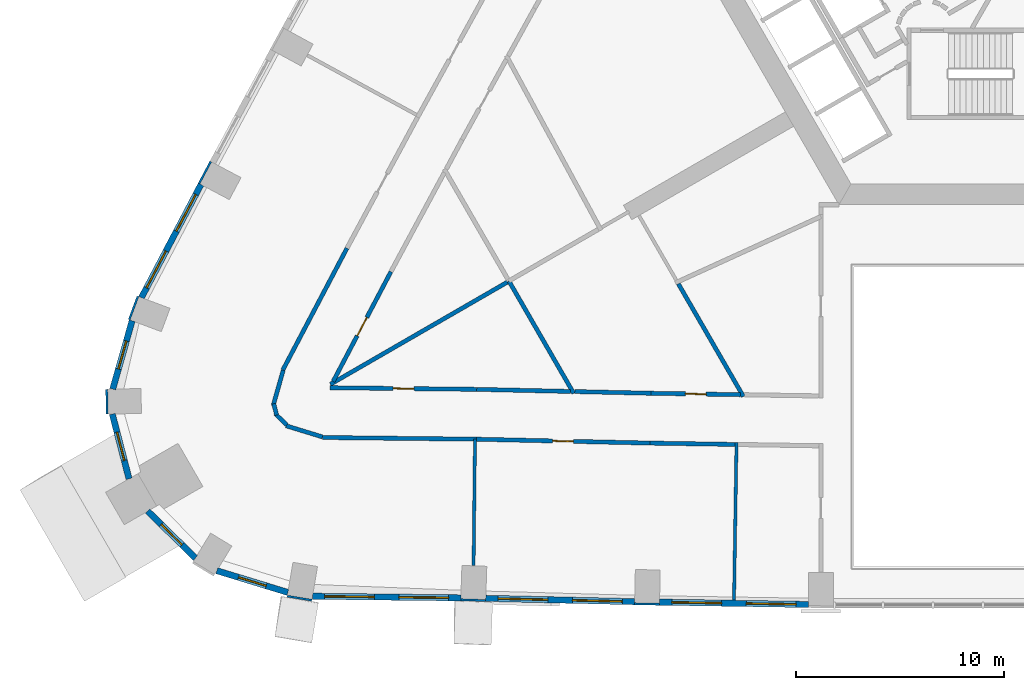
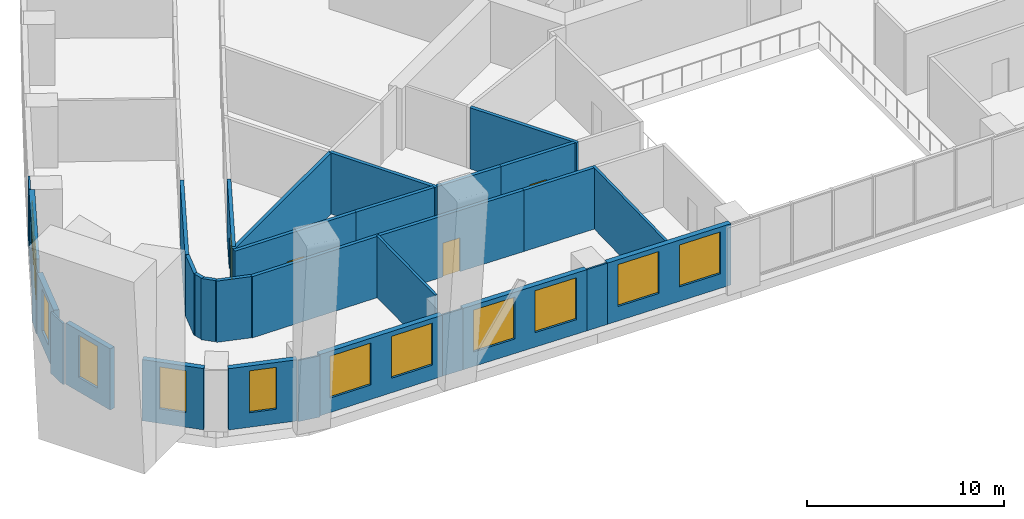
# One storey, part 4 of 16: 32 walls, 12 windows, 4 doors, 16 openings.
"""IFC4 building model written with IfcOpenShell, lengths in metres."""

from ifc_helpers import new_model, si_unit, direction, frame, frame_2d, origin, place, context, subcontext, project, spatial, rectangle, extrude, material, layer, layer_set, type_object, element, fill, save


model = new_model("IFC4")

# Units and contexts
model_context = context("Model", 3, precision=1e-05, world=origin(), true_north=direction((0.0, 1.0)))
body_context = subcontext(model_context, "Body", "Model", "MODEL_VIEW")
ifc_project = project(units=[si_unit("LENGTHUNIT", "METRE"), si_unit("AREAUNIT", "SQUARE_METRE"), si_unit("VOLUMEUNIT", "CUBIC_METRE"), si_unit("PLANEANGLEUNIT", "RADIAN"), si_unit("MASSUNIT", "GRAM", prefix="KILO")], contexts=[model_context])

# Site, building, storey
site_placement = place(None, origin())
site = spatial("IfcSite", under=ifc_project, at=site_placement, CompositionType="ELEMENT")
building_placement = place(site_placement, origin())
building = spatial("IfcBuilding", under=site, at=building_placement, Name="Entoto Arch Interchange Tower", CompositionType="ELEMENT")
storey_placement = place(building_placement, frame((0.0, 0.0, 47.60009765625)))
storey = spatial("IfcBuildingStorey", under=building, at=storey_placement, Name="L09", CompositionType="ELEMENT", Elevation=47.60009765625)

# Walls
ifc_material_1 = material(Name="Gypsum board partition on steel studs", Category="steel")
ifc_layer_1 = layer(ifc_material_1, 0.14990234375)
ifc_layer_set_1 = layer_set([ifc_layer_1], Name="Gypsum board partition on steel studs")
wall_type_1 = type_object("IfcWallType", Name="PARTITION 150", PredefinedType="PARTITIONING", material=ifc_layer_set_1)
wall_1_placement = place(storey_placement, frame((-24.452880859375, -20.7900390625, 0.0), z_axis=(0.0, 0.0, 1.0), x_axis=(-0.011204565898, -0.999937226881, 0.0)))
element("IfcWall", 1, at=wall_1_placement, inside=storey, type_object=wall_type_1, Name="wall:L09:p144", PredefinedType="PARTITIONING", context=body_context, shape_type="SweptSolid", body=[
    extrude(rectangle(XDim=6.079345703125, YDim=0.14990234375, at=frame_2d((3.03955078125, 0.0))), origin(), (0.0, 0.0, 1.0), 3.7998046875),
])
wall_2_placement = place(storey_placement, frame((-11.860107421875, -20.945068359375, 0.0), z_axis=(0.0, 0.0, 1.0), x_axis=(-0.015773137921, -0.999875596322, 0.0)))
element("IfcWall", 2, at=wall_2_placement, inside=storey, type_object=wall_type_1, Name="wall:L09:p145", PredefinedType="PARTITIONING", context=body_context, shape_type="SweptSolid", body=[
    extrude(rectangle(XDim=7.599853515625, YDim=0.14990234375, at=frame_2d((3.7998046875, 0.0))), origin(), (0.0, 0.0, 1.0), 3.7998046875),
])
ifc_layer_2 = layer(ifc_material_1, 0.199951171875)
ifc_layer_set_2 = layer_set([ifc_layer_2], Name="Gypsum board partition on steel studs")
wall_type_2 = type_object("IfcWallType", Name="PARTITION 200", PredefinedType="PARTITIONING", material=ifc_layer_set_2)
wall_3_placement = place(storey_placement, frame((-19.64892578125, -18.49609375, 0.0), z_axis=(0.0, 0.0, 1.0), x_axis=(0.999744980574, -0.02258259988, 0.0)))
element("IfcWall", 3, at=wall_3_placement, inside=storey, type_object=wall_type_2, Name="wall:L09:p031", PredefinedType="PARTITIONING", context=body_context, shape_type="SweptSolid", body=[
    extrude(rectangle(XDim=3.67578125, YDim=0.199951171875, at=frame_2d((1.837890625, 0.0))), origin(), (0.0, 0.0, 1.0), 3.7998046875),
])

# Wall, opening, door
wall_4_placement = place(storey_placement, frame((-15.97412109375, -18.5791015625, 0.0), z_axis=(0.0, 0.0, 1.0), x_axis=(0.999875289316, -0.015792587377, 0.0)))
wall_4 = element("IfcWall", 4, at=wall_4_placement, inside=storey, type_object=wall_type_2, Name="wall:L09:p032", PredefinedType="PARTITIONING", context=body_context, shape_type="SweptSolid", body=[
    extrude(rectangle(XDim=4.297607421875, YDim=0.199951171875, at=frame_2d((2.14892578125, 0.0))), origin(), (0.0, 0.0, 1.0), 3.7998046875),
])
opening_1_placement = place(wall_4_placement, frame((1.64892578125, 0.0, 0.0)))
opening_1 = element("IfcOpeningElement", 5, at=opening_1_placement, cuts=wall_4, Name="Opening L09-D24", PredefinedType="OPENING", context=body_context, shape_type="SweptSolid", body=[
    extrude(rectangle(XDim=1.0, YDim=2.10009765625, at=frame_2d((0.5, 1.050048828125))), frame((0.0, 0.10986328125, 0.0), z_axis=(0.0, -1.0, 0.0), x_axis=(1.0, 0.0, 0.0)), (0.0, 0.0, 1.0), 0.219970703125),
])
ifc_material_2 = material(Name="Timber door leaf in Steel S235 frame", Category="steel")
door_type = type_object("IfcDoorType", Name="DOOR DS-10 1000x2100", OperationType="SINGLE_SWING_LEFT", PredefinedType="DOOR", material=ifc_material_2)
door_1_placement = place(opening_1_placement, origin())
door_1 = element("IfcDoor", 6, at=door_1_placement, inside=storey, type_object=door_type, Name="door:L09:24", OperationType="SINGLE_SWING_LEFT", OverallHeight=2.10009765625, OverallWidth=1.0, PredefinedType="DOOR", context=body_context, shape_type="SweptSolid", body=[
    extrude(rectangle(XDim=1.0, YDim=2.10009765625, at=frame_2d((0.5, 1.050048828125))), frame((0.0, 0.02490234375, 0.0), z_axis=(0.0, -1.0, 0.0), x_axis=(1.0, 0.0, 0.0)), (0.0, 0.0, 1.0), 0.050048828125),
])
fill(opening_1, door_1)

wall_5_placement = place(storey_placement, frame((-28.5009765625, -12.72412109375, 0.0), z_axis=(0.0, 0.0, 1.0), x_axis=(-0.465933418625, -0.884819783576, 0.0)))
wall_5 = element("IfcWall", 7, at=wall_5_placement, inside=storey, type_object=wall_type_2, Name="wall:L09:p034", PredefinedType="PARTITIONING", context=body_context, shape_type="SweptSolid", body=[
    extrude(rectangle(XDim=5.972900390625, YDim=0.199951171875, at=frame_2d((2.986328125, 0.0))), origin(), (0.0, 0.0, 1.0), 3.7998046875),
])
opening_2_placement = place(wall_5_placement, frame((2.486083984375, 0.0, 0.0)))
opening_2 = element("IfcOpeningElement", 8, at=opening_2_placement, cuts=wall_5, Name="Opening L09-D25", PredefinedType="OPENING", context=body_context, shape_type="SweptSolid", body=[
    extrude(rectangle(XDim=1.0, YDim=2.10009765625, at=frame_2d((0.5, 1.050048828125))), frame((0.0, 0.10986328125, 0.0), z_axis=(0.0, -1.0, 0.0), x_axis=(1.0, 0.0, 0.0)), (0.0, 0.0, 1.0), 0.219970703125),
])
door_2_placement = place(opening_2_placement, origin())
door_2 = element("IfcDoor", 9, at=door_2_placement, inside=storey, type_object=door_type, Name="door:L09:25", OperationType="SINGLE_SWING_LEFT", OverallHeight=2.10009765625, OverallWidth=1.0, PredefinedType="DOOR", context=body_context, shape_type="SweptSolid", body=[
    extrude(rectangle(XDim=1.0, YDim=2.10009765625, at=frame_2d((0.5, 1.050048828125))), frame((0.0, 0.02490234375, 0.0), z_axis=(0.0, -1.0, 0.0), x_axis=(1.0, 0.0, 0.0)), (0.0, 0.0, 1.0), 0.050048828125),
])
fill(opening_2, door_2)

wall_6_placement = place(storey_placement, frame((-31.430908203125, -18.31201171875, 0.0), z_axis=(0.0, 0.0, 1.0), x_axis=(0.999939195602, -0.011027470214, 0.0)))
wall_6 = element("IfcWall", 10, at=wall_6_placement, inside=storey, type_object=wall_type_2, Name="wall:L09:p035", PredefinedType="PARTITIONING", context=body_context, shape_type="SweptSolid", body=[
    extrude(rectangle(XDim=7.0625, YDim=0.199951171875, at=frame_2d((3.53125, 0.0))), origin(), (0.0, 0.0, 1.0), 3.7998046875),
])
opening_3_placement = place(wall_6_placement, frame((3.031005859375, 0.0, 0.0)))
opening_3 = element("IfcOpeningElement", 11, at=opening_3_placement, cuts=wall_6, Name="Opening L09-D26", PredefinedType="OPENING", context=body_context, shape_type="SweptSolid", body=[
    extrude(rectangle(XDim=1.0, YDim=2.10009765625, at=frame_2d((0.5, 1.050048828125))), frame((0.0, 0.10986328125, 0.0), z_axis=(0.0, -1.0, 0.0), x_axis=(1.0, 0.0, 0.0)), (0.0, 0.0, 1.0), 0.219970703125),
])
door_3_placement = place(opening_3_placement, origin())
door_3 = element("IfcDoor", 12, at=door_3_placement, inside=storey, type_object=door_type, Name="door:L09:26", OperationType="SINGLE_SWING_LEFT", OverallHeight=2.10009765625, OverallWidth=1.0, PredefinedType="DOOR", context=body_context, shape_type="SweptSolid", body=[
    extrude(rectangle(XDim=1.0, YDim=2.10009765625, at=frame_2d((0.5, 1.050048828125))), frame((0.0, 0.02490234375, 0.0), z_axis=(0.0, -1.0, 0.0), x_axis=(1.0, 0.0, 0.0)), (0.0, 0.0, 1.0), 0.050048828125),
])
fill(opening_3, door_3)

# Walls
wall_7_placement = place(storey_placement, frame((-24.368896484375, -18.389892578125, 0.0), z_axis=(0.0, 0.0, 1.0), x_axis=(0.99974519793, -0.022572975354, 0.0)))
element("IfcWall", 13, at=wall_7_placement, inside=storey, type_object=wall_type_2, Name="wall:L09:p036", PredefinedType="PARTITIONING", context=body_context, shape_type="SweptSolid", body=[
    extrude(rectangle(XDim=4.52099609375, YDim=0.199951171875, at=frame_2d((2.260498046875, 0.0))), origin(), (0.0, 0.0, 1.0), 3.7998046875),
])
wall_8_placement = place(storey_placement, frame((-24.3779296875, -20.7900390625, 0.0), z_axis=(0.0, 0.0, 1.0), x_axis=(-0.99993897746, 0.011047232974, 0.0)))
element("IfcWall", 14, at=wall_8_placement, inside=storey, type_object=wall_type_2, Name="wall:L09:p069", PredefinedType="PARTITIONING", context=body_context, shape_type="SweptSolid", body=[
    extrude(rectangle(XDim=7.425537109375, YDim=0.199951171875, at=frame_2d((3.712890625, 0.0))), origin(), (0.0, 0.0, 1.0), 3.7998046875),
])
wall_9_placement = place(storey_placement, frame((-31.799072265625, -20.679931640625, 0.0), z_axis=(0.0, 0.0, 1.0), x_axis=(-0.956277835368, 0.292459743525, 0.0)))
element("IfcWall", 15, at=wall_9_placement, inside=storey, type_object=wall_type_2, Name="wall:L09:p070", PredefinedType="PARTITIONING", context=body_context, shape_type="SweptSolid", body=[
    extrude(rectangle(XDim=1.82568359375, YDim=0.199951171875, at=frame_2d((0.912841796875, 0.0))), origin(), (0.0, 0.0, 1.0), 3.7998046875),
])
wall_10_placement = place(storey_placement, frame((-33.52099609375, -20.10498046875, 0.0), z_axis=(0.0, 0.0, 1.0), x_axis=(-0.713535335808, 0.700619243636, 0.0)))
element("IfcWall", 16, at=wall_10_placement, inside=storey, type_object=wall_type_2, Name="wall:L09:p071", PredefinedType="PARTITIONING", context=body_context, shape_type="SweptSolid", body=[
    extrude(rectangle(XDim=0.77490234375, YDim=0.199951171875, at=frame_2d((0.387451171875, 0.0))), origin(), (0.0, 0.0, 1.0), 3.7998046875),
])
wall_11_placement = place(storey_placement, frame((-34.0029296875, -19.631103515625, 0.0), z_axis=(0.0, 0.0, 1.0), x_axis=(-0.250111961061, 0.968216921425, 0.0)))
element("IfcWall", 17, at=wall_11_placement, inside=storey, type_object=wall_type_2, Name="wall:L09:p072", PredefinedType="PARTITIONING", context=body_context, shape_type="SweptSolid", body=[
    extrude(rectangle(XDim=0.568115234375, YDim=0.199951171875, at=frame_2d((0.2841796875, 0.0))), origin(), (0.0, 0.0, 1.0), 3.7998046875),
])
wall_12_placement = place(storey_placement, frame((-34.172119140625, -19.177001953125, 0.0), z_axis=(0.0, 0.0, 1.0), x_axis=(0.272780480932, 0.962076301144, 0.0)))
element("IfcWall", 18, at=wall_12_placement, inside=storey, type_object=wall_type_2, Name="wall:L09:p073", PredefinedType="PARTITIONING", context=body_context, shape_type="SweptSolid", body=[
    extrude(rectangle(XDim=1.7783203125, YDim=0.199951171875, at=frame_2d((0.88916015625, 0.0))), origin(), (0.0, 0.0, 1.0), 3.7998046875),
])
wall_13_placement = place(storey_placement, frame((-33.7060546875, -17.4580078125, 0.0), z_axis=(0.0, 0.0, 1.0), x_axis=(0.465905874098, 0.884834287582, 0.0)))
element("IfcWall", 19, at=wall_13_placement, inside=storey, type_object=wall_type_2, Name="wall:L09:p074", PredefinedType="PARTITIONING", context=body_context, shape_type="SweptSolid", body=[
    extrude(rectangle(XDim=6.626220703125, YDim=0.199951171875, at=frame_2d((3.31298828125, 0.0))), origin(), (0.0, 0.0, 1.0), 3.7998046875),
])
wall_14_placement = place(storey_placement, frame((-11.93603515625, -21.04296875, 0.0), z_axis=(0.0, 0.0, 1.0), x_axis=(-0.999873595398, 0.015899472524, 0.0)))
element("IfcWall", 20, at=wall_14_placement, inside=storey, type_object=wall_type_2, Name="wall:L09:p076", PredefinedType="PARTITIONING", context=body_context, shape_type="SweptSolid", body=[
    extrude(rectangle(XDim=4.08447265625, YDim=0.199951171875, at=frame_2d((2.042236328125, 0.0))), origin(), (0.0, 0.0, 1.0), 3.7998046875),
])

# Wall, opening, door
wall_15_placement = place(storey_placement, frame((-16.02001953125, -20.97802734375, 0.0), z_axis=(0.0, 0.0, 1.0), x_axis=(-0.999749010047, 0.02240350216, 0.0)))
wall_15 = element("IfcWall", 21, at=wall_15_placement, inside=storey, type_object=wall_type_2, Name="wall:L09:p077", PredefinedType="PARTITIONING", context=body_context, shape_type="SweptSolid", body=[
    extrude(rectangle(XDim=8.39111328125, YDim=0.199951171875, at=frame_2d((4.195556640625, 0.0))), origin(), (0.0, 0.0, 1.0), 3.7998046875),
])
opening_4_placement = place(wall_15_placement, frame((3.695068359375, 0.0, 0.0)))
opening_4 = element("IfcOpeningElement", 22, at=opening_4_placement, cuts=wall_15, Name="Opening L09-D14", PredefinedType="OPENING", context=body_context, shape_type="SweptSolid", body=[
    extrude(rectangle(XDim=1.0, YDim=2.10009765625, at=frame_2d((0.5, 1.050048828125))), frame((0.0, 0.10986328125, 0.0), z_axis=(0.0, -1.0, 0.0), x_axis=(1.0, 0.0, 0.0)), (0.0, 0.0, 1.0), 0.219970703125),
])
door_4_placement = place(opening_4_placement, origin())
door_4 = element("IfcDoor", 23, at=door_4_placement, inside=storey, type_object=door_type, Name="door:L09:14", OperationType="SINGLE_SWING_RIGHT", OverallHeight=2.10009765625, OverallWidth=1.0, PredefinedType="DOOR", context=body_context, shape_type="SweptSolid", body=[
    extrude(rectangle(XDim=1.0, YDim=2.10009765625, at=frame_2d((0.5, 1.050048828125))), frame((0.0, 0.02490234375, 0.0), z_axis=(0.0, -1.0, 0.0), x_axis=(1.0, 0.0, 0.0)), (0.0, 0.0, 1.0), 0.050048828125),
])
fill(opening_4, door_4)

# Walls
wall_16_placement = place(storey_placement, frame((-11.527099609375, -18.735107421875, 0.0), z_axis=(0.0, 0.0, 1.0), x_axis=(-0.499976457224, 0.866038995786, 0.0)))
element("IfcWall", 24, at=wall_16_placement, inside=storey, type_object=wall_type_2, Name="wall:L09:p127", PredefinedType="PARTITIONING", context=body_context, shape_type="SweptSolid", body=[
    extrude(rectangle(XDim=6.267822265625, YDim=0.199951171875, at=frame_2d((3.1337890625, 0.0))), origin(), (0.0, 0.0, 1.0), 3.7998046875),
])
wall_17_placement = place(storey_placement, frame((-19.698974609375, -18.5810546875, 0.0), z_axis=(0.0, 0.0, 1.0), x_axis=(-0.499899838407, 0.866083224385, 0.0)))
element("IfcWall", 25, at=wall_17_placement, inside=storey, type_object=wall_type_2, Name="wall:L09:p130", PredefinedType="PARTITIONING", context=body_context, shape_type="SweptSolid", body=[
    extrude(rectangle(XDim=6.235107421875, YDim=0.199951171875, at=frame_2d((3.11767578125, 0.0))), origin(), (0.0, 0.0, 1.0), 3.7998046875),
])
wall_18_placement = place(storey_placement, frame((-22.81591796875, -13.180908203125, 0.0), z_axis=(0.0, 0.0, 1.0), x_axis=(-0.86601529143, -0.500017514703, 0.0)))
element("IfcWall", 26, at=wall_18_placement, inside=storey, type_object=wall_type_2, Name="wall:L09:p131", PredefinedType="PARTITIONING", context=body_context, shape_type="SweptSolid", body=[
    extrude(rectangle(XDim=9.931884765625, YDim=0.199951171875, at=frame_2d((4.9658203125, 0.0))), origin(), (0.0, 0.0, 1.0), 3.7998046875),
])

# Wall, openings, windows
ifc_material_3 = material(Name="Welded tuff (ignimbrite) cladding, warm buff", Category="masonry")
ifc_layer_3 = layer(ifc_material_3, 0.300048828125)
ifc_layer_set_3 = layer_set([ifc_layer_3], Name="Welded tuff (ignimbrite) cladding, warm buff")
wall_type_3 = type_object("IfcWallType", Name="STONE INFILL WALL 300", PredefinedType="STANDARD", material=ifc_layer_set_3)
wall_19_placement = place(storey_placement, frame((-32.279052734375, -28.35302734375, 0.0), z_axis=(0.0, 0.0, 1.0), x_axis=(0.999939101213, -0.011036025753, 0.0)))
wall_19 = element("IfcWall", 27, at=wall_19_placement, inside=storey, type_object=wall_type_3, Name="Facade wall S-01 L09", PredefinedType="STANDARD", context=body_context, shape_type="SweptSolid", body=[
    extrude(rectangle(XDim=7.1455078125, YDim=0.300048828125, at=frame_2d((3.57275390625, 0.0))), origin(), (0.0, 0.0, 1.0), 3.7998046875),
])
opening_5_placement = place(wall_19_placement, frame((0.5859375, 0.0, 0.89990234375)))
opening_5 = element("IfcOpeningElement", 28, at=opening_5_placement, cuts=wall_19, Name="Opening WO-A", PredefinedType="OPENING", context=body_context, shape_type="SweptSolid", body=[
    extrude(rectangle(XDim=2.39990234375, YDim=2.60009765625, at=frame_2d((1.199951171875, 1.300048828125))), frame((0.0, 0.16015625, 0.0), z_axis=(0.0, -1.0, 0.0), x_axis=(1.0, 0.0, 0.0)), (0.0, 0.0, 1.0), 0.320068359375),
])
opening_6_placement = place(wall_19_placement, frame((4.158935546875, 0.0, 0.89990234375)))
opening_6 = element("IfcOpeningElement", 29, at=opening_6_placement, cuts=wall_19, Name="Opening WO-A", PredefinedType="OPENING", context=body_context, shape_type="SweptSolid", body=[
    extrude(rectangle(XDim=2.39990234375, YDim=2.60009765625, at=frame_2d((1.199951171875, 1.300048828125))), frame((0.0, 0.16015625, 0.0), z_axis=(0.0, -1.0, 0.0), x_axis=(1.0, 0.0, 0.0)), (0.0, 0.0, 1.0), 0.320068359375),
])
ifc_material_4 = material(Name="Clear glass, low-e double glazed", Category="glass")
window_type_1 = type_object("IfcWindowType", Name="WINDOW WO-A 2400x2600", PartitioningType="DOUBLE_PANEL_VERTICAL", PredefinedType="WINDOW", material=ifc_material_4)
window_1_placement = place(opening_5_placement, origin())
window_1 = element("IfcWindow", 30, at=window_1_placement, inside=storey, type_object=window_type_1, Name="Window WO-A S-01 L09", OverallHeight=2.60009765625, OverallWidth=2.39990234375, PartitioningType="SINGLE_PANEL", PredefinedType="WINDOW", context=body_context, shape_type="SweptSolid", body=[
    extrude(rectangle(XDim=2.39990234375, YDim=2.60009765625, at=frame_2d((1.199951171875, 1.300048828125))), frame((0.0, 0.030029296875, 0.0), z_axis=(0.0, -1.0, 0.0), x_axis=(1.0, 0.0, 0.0)), (0.0, 0.0, 1.0), 0.06005859375),
])
fill(opening_5, window_1)
window_2_placement = place(opening_6_placement, origin())
window_2 = element("IfcWindow", 31, at=window_2_placement, inside=storey, type_object=window_type_1, Name="Window WO-A S-01 L09", OverallHeight=2.60009765625, OverallWidth=2.39990234375, PartitioningType="SINGLE_PANEL", PredefinedType="WINDOW", context=body_context, shape_type="SweptSolid", body=[
    extrude(rectangle(XDim=2.39990234375, YDim=2.60009765625, at=frame_2d((1.199951171875, 1.300048828125))), frame((0.0, 0.030029296875, 0.0), z_axis=(0.0, -1.0, 0.0), x_axis=(1.0, 0.0, 0.0)), (0.0, 0.0, 1.0), 0.06005859375),
])
fill(opening_6, window_2)

wall_20_placement = place(storey_placement, frame((-23.93603515625, -28.452880859375, 0.0), z_axis=(0.0, 0.0, 1.0), x_axis=(0.999747567852, -0.022467767461, 0.0)))
wall_20 = element("IfcWall", 32, at=wall_20_placement, inside=storey, type_object=wall_type_3, Name="Facade wall S-02 L09", PredefinedType="STANDARD", context=body_context, shape_type="SweptSolid", body=[
    extrude(rectangle(XDim=7.171630859375, YDim=0.300048828125, at=frame_2d((3.5859375, 0.0))), origin(), (0.0, 0.0, 1.0), 3.7998046875),
])
opening_7_placement = place(wall_20_placement, frame((0.593017578125, 0.0, 0.89990234375)))
opening_7 = element("IfcOpeningElement", 33, at=opening_7_placement, cuts=wall_20, Name="Opening WO-A", PredefinedType="OPENING", context=body_context, shape_type="SweptSolid", body=[
    extrude(rectangle(XDim=2.39990234375, YDim=2.60009765625, at=frame_2d((1.199951171875, 1.300048828125))), frame((0.0, 0.16015625, 0.0), z_axis=(0.0, -1.0, 0.0), x_axis=(1.0, 0.0, 0.0)), (0.0, 0.0, 1.0), 0.320068359375),
])
opening_8_placement = place(wall_20_placement, frame((4.178955078125, 0.0, 0.89990234375)))
opening_8 = element("IfcOpeningElement", 34, at=opening_8_placement, cuts=wall_20, Name="Opening WO-A", PredefinedType="OPENING", context=body_context, shape_type="SweptSolid", body=[
    extrude(rectangle(XDim=2.39990234375, YDim=2.60009765625, at=frame_2d((1.199951171875, 1.300048828125))), frame((0.0, 0.16015625, 0.0), z_axis=(0.0, -1.0, 0.0), x_axis=(1.0, 0.0, 0.0)), (0.0, 0.0, 1.0), 0.320068359375),
])
window_3_placement = place(opening_7_placement, origin())
window_3 = element("IfcWindow", 35, at=window_3_placement, inside=storey, type_object=window_type_1, Name="Window WO-A S-02 L09", OverallHeight=2.60009765625, OverallWidth=2.39990234375, PartitioningType="SINGLE_PANEL", PredefinedType="WINDOW", context=body_context, shape_type="SweptSolid", body=[
    extrude(rectangle(XDim=2.39990234375, YDim=2.60009765625, at=frame_2d((1.199951171875, 1.300048828125))), frame((0.0, 0.030029296875, 0.0), z_axis=(0.0, -1.0, 0.0), x_axis=(1.0, 0.0, 0.0)), (0.0, 0.0, 1.0), 0.06005859375),
])
fill(opening_7, window_3)
window_4_placement = place(opening_8_placement, origin())
window_4 = element("IfcWindow", 36, at=window_4_placement, inside=storey, type_object=window_type_1, Name="Window WO-A S-02 L09", OverallHeight=2.60009765625, OverallWidth=2.39990234375, PartitioningType="SINGLE_PANEL", PredefinedType="WINDOW", context=body_context, shape_type="SweptSolid", body=[
    extrude(rectangle(XDim=2.39990234375, YDim=2.60009765625, at=frame_2d((1.199951171875, 1.300048828125))), frame((0.0, 0.030029296875, 0.0), z_axis=(0.0, -1.0, 0.0), x_axis=(1.0, 0.0, 0.0)), (0.0, 0.0, 1.0), 0.06005859375),
])
fill(opening_8, window_4)

wall_21_placement = place(storey_placement, frame((-15.568115234375, -28.636962890625, 0.0), z_axis=(0.0, 0.0, 1.0), x_axis=(0.999875756772, -0.015762963512, 0.0)))
wall_21 = element("IfcWall", 37, at=wall_21_placement, inside=storey, type_object=wall_type_3, Name="Facade wall S-03 L09", PredefinedType="STANDARD", context=body_context, shape_type="SweptSolid", body=[
    extrude(rectangle(XDim=7.171142578125, YDim=0.300048828125, at=frame_2d((3.58544921875, 0.0))), origin(), (0.0, 0.0, 1.0), 3.7998046875),
])
opening_9_placement = place(wall_21_placement, frame((0.593017578125, 0.0, 0.89990234375)))
opening_9 = element("IfcOpeningElement", 38, at=opening_9_placement, cuts=wall_21, Name="Opening WO-A", PredefinedType="OPENING", context=body_context, shape_type="SweptSolid", body=[
    extrude(rectangle(XDim=2.39990234375, YDim=2.60009765625, at=frame_2d((1.199951171875, 1.300048828125))), frame((0.0, 0.16015625, 0.0), z_axis=(0.0, -1.0, 0.0), x_axis=(1.0, 0.0, 0.0)), (0.0, 0.0, 1.0), 0.320068359375),
])
opening_10_placement = place(wall_21_placement, frame((4.177978515625, 0.0, 0.89990234375)))
opening_10 = element("IfcOpeningElement", 39, at=opening_10_placement, cuts=wall_21, Name="Opening WO-A", PredefinedType="OPENING", context=body_context, shape_type="SweptSolid", body=[
    extrude(rectangle(XDim=2.39990234375, YDim=2.60009765625, at=frame_2d((1.199951171875, 1.300048828125))), frame((0.0, 0.16015625, 0.0), z_axis=(0.0, -1.0, 0.0), x_axis=(1.0, 0.0, 0.0)), (0.0, 0.0, 1.0), 0.320068359375),
])
window_5_placement = place(opening_9_placement, origin())
window_5 = element("IfcWindow", 40, at=window_5_placement, inside=storey, type_object=window_type_1, Name="Window WO-A S-03 L09", OverallHeight=2.60009765625, OverallWidth=2.39990234375, PartitioningType="SINGLE_PANEL", PredefinedType="WINDOW", context=body_context, shape_type="SweptSolid", body=[
    extrude(rectangle(XDim=2.39990234375, YDim=2.60009765625, at=frame_2d((1.199951171875, 1.300048828125))), frame((0.0, 0.030029296875, 0.0), z_axis=(0.0, -1.0, 0.0), x_axis=(1.0, 0.0, 0.0)), (0.0, 0.0, 1.0), 0.06005859375),
])
fill(opening_9, window_5)
window_6_placement = place(opening_10_placement, origin())
window_6 = element("IfcWindow", 41, at=window_6_placement, inside=storey, type_object=window_type_1, Name="Window WO-A S-03 L09", OverallHeight=2.60009765625, OverallWidth=2.39990234375, PartitioningType="SINGLE_PANEL", PredefinedType="WINDOW", context=body_context, shape_type="SweptSolid", body=[
    extrude(rectangle(XDim=2.39990234375, YDim=2.60009765625, at=frame_2d((1.199951171875, 1.300048828125))), frame((0.0, 0.030029296875, 0.0), z_axis=(0.0, -1.0, 0.0), x_axis=(1.0, 0.0, 0.0)), (0.0, 0.0, 1.0), 0.06005859375),
])
fill(opening_10, window_6)

wall_22_placement = place(storey_placement, frame((-37.64990234375, -8.527099609375, 0.0), z_axis=(0.0, 0.0, 1.0), x_axis=(-0.465847756605, -0.884864886673, 0.0)))
wall_22 = element("IfcWall", 42, at=wall_22_placement, inside=storey, type_object=wall_type_3, Name="Facade wall NW-09 L09", PredefinedType="STANDARD", context=body_context, shape_type="SweptSolid", body=[
    extrude(rectangle(XDim=6.156982421875, YDim=0.300048828125, at=frame_2d((3.07861328125, 0.0))), origin(), (0.0, 0.0, 1.0), 3.7998046875),
])
opening_11_placement = place(wall_22_placement, frame((0.5390625, 0.0, 0.89990234375)))
opening_11 = element("IfcOpeningElement", 43, at=opening_11_placement, cuts=wall_22, Name="Opening WO-C", PredefinedType="OPENING", context=body_context, shape_type="SweptSolid", body=[
    extrude(rectangle(XDim=2.0, YDim=2.60009765625, at=frame_2d((1.0, 1.300048828125))), frame((0.0, 0.16015625, 0.0), z_axis=(0.0, -1.0, 0.0), x_axis=(1.0, 0.0, 0.0)), (0.0, 0.0, 1.0), 0.320068359375),
])
opening_12_placement = place(wall_22_placement, frame((3.617919921875, 0.0, 0.89990234375)))
opening_12 = element("IfcOpeningElement", 44, at=opening_12_placement, cuts=wall_22, Name="Opening WO-C", PredefinedType="OPENING", context=body_context, shape_type="SweptSolid", body=[
    extrude(rectangle(XDim=2.0, YDim=2.60009765625, at=frame_2d((1.0, 1.300048828125))), frame((0.0, 0.16015625, 0.0), z_axis=(0.0, -1.0, 0.0), x_axis=(1.0, 0.0, 0.0)), (0.0, 0.0, 1.0), 0.320068359375),
])
window_type_2 = type_object("IfcWindowType", Name="WINDOW WO-C 2000x2600", PartitioningType="DOUBLE_PANEL_VERTICAL", PredefinedType="WINDOW", material=ifc_material_4)
window_7_placement = place(opening_11_placement, origin())
window_7 = element("IfcWindow", 45, at=window_7_placement, inside=storey, type_object=window_type_2, Name="Window WO-C NW-09 L09", OverallHeight=2.60009765625, OverallWidth=2.0, PartitioningType="SINGLE_PANEL", PredefinedType="WINDOW", context=body_context, shape_type="SweptSolid", body=[
    extrude(rectangle(XDim=2.0, YDim=2.60009765625, at=frame_2d((1.0, 1.300048828125))), frame((0.0, 0.030029296875, 0.0), z_axis=(0.0, -1.0, 0.0), x_axis=(1.0, 0.0, 0.0)), (0.0, 0.0, 1.0), 0.06005859375),
])
fill(opening_11, window_7)
window_8_placement = place(opening_12_placement, origin())
window_8 = element("IfcWindow", 46, at=window_8_placement, inside=storey, type_object=window_type_2, Name="Window WO-C NW-09 L09", OverallHeight=2.60009765625, OverallWidth=2.0, PartitioningType="SINGLE_PANEL", PredefinedType="WINDOW", context=body_context, shape_type="SweptSolid", body=[
    extrude(rectangle(XDim=2.0, YDim=2.60009765625, at=frame_2d((1.0, 1.300048828125))), frame((0.0, 0.030029296875, 0.0), z_axis=(0.0, -1.0, 0.0), x_axis=(1.0, 0.0, 0.0)), (0.0, 0.0, 1.0), 0.06005859375),
])
fill(opening_12, window_8)

# Wall, opening, window
wall_23_placement = place(storey_placement, frame((-40.964111328125, -15.0869140625, 0.0), z_axis=(0.0, 0.0, 1.0), x_axis=(-0.272901963142, -0.962041848629, 0.0)))
wall_23 = element("IfcWall", 47, at=wall_23_placement, inside=storey, type_object=wall_type_3, Name="Facade wall SW-01 L09", PredefinedType="STANDARD", context=body_context, shape_type="SweptSolid", body=[
    extrude(rectangle(XDim=3.421875, YDim=0.300048828125, at=frame_2d((1.7109375, 0.0))), origin(), (0.0, 0.0, 1.0), 3.7998046875),
])
opening_13_placement = place(wall_23_placement, frame((1.010986328125, 0.0, 0.89990234375)))
opening_13 = element("IfcOpeningElement", 48, at=opening_13_placement, cuts=wall_23, Name="Opening WO-B", PredefinedType="OPENING", context=body_context, shape_type="SweptSolid", body=[
    extrude(rectangle(XDim=1.39990234375, YDim=2.60009765625, at=frame_2d((0.699951171875, 1.300048828125))), frame((0.0, 0.16015625, 0.0), z_axis=(0.0, -1.0, 0.0), x_axis=(1.0, 0.0, 0.0)), (0.0, 0.0, 1.0), 0.320068359375),
])
window_type_3 = type_object("IfcWindowType", Name="WINDOW WO-B 1400x2600", PartitioningType="DOUBLE_PANEL_VERTICAL", PredefinedType="WINDOW", material=ifc_material_4)
window_9_placement = place(opening_13_placement, origin())
window_9 = element("IfcWindow", 49, at=window_9_placement, inside=storey, type_object=window_type_3, Name="Window WO-B SW-01 L09", OverallHeight=2.60009765625, OverallWidth=1.39990234375, PartitioningType="SINGLE_PANEL", PredefinedType="WINDOW", context=body_context, shape_type="SweptSolid", body=[
    extrude(rectangle(XDim=1.39990234375, YDim=2.60009765625, at=frame_2d((0.699951171875, 1.300048828125))), frame((0.0, 0.030029296875, 0.0), z_axis=(0.0, -1.0, 0.0), x_axis=(1.0, 0.0, 0.0)), (0.0, 0.0, 1.0), 0.06005859375),
])
fill(opening_13, window_9)

wall_24_placement = place(storey_placement, frame((-41.91796875, -19.577880859375, 0.0), z_axis=(0.0, 0.0, 1.0), x_axis=(0.250086521833, -0.968223492587, 0.0)))
wall_24 = element("IfcWall", 50, at=wall_24_placement, inside=storey, type_object=wall_type_3, Name="Facade wall SW-02 L09", PredefinedType="STANDARD", context=body_context, shape_type="SweptSolid", body=[
    extrude(rectangle(XDim=3.222412109375, YDim=0.300048828125, at=frame_2d((1.611328125, 0.0))), origin(), (0.0, 0.0, 1.0), 3.7998046875),
])
opening_14_placement = place(wall_24_placement, frame((0.910888671875, 0.0, 0.89990234375)))
opening_14 = element("IfcOpeningElement", 51, at=opening_14_placement, cuts=wall_24, Name="Opening WO-B", PredefinedType="OPENING", context=body_context, shape_type="SweptSolid", body=[
    extrude(rectangle(XDim=1.39990234375, YDim=2.60009765625, at=frame_2d((0.699951171875, 1.300048828125))), frame((0.0, 0.16015625, 0.0), z_axis=(0.0, -1.0, 0.0), x_axis=(1.0, 0.0, 0.0)), (0.0, 0.0, 1.0), 0.320068359375),
])
window_10_placement = place(opening_14_placement, origin())
window_10 = element("IfcWindow", 52, at=window_10_placement, inside=storey, type_object=window_type_3, Name="Window WO-B SW-02 L09", OverallHeight=2.60009765625, OverallWidth=1.39990234375, PartitioningType="SINGLE_PANEL", PredefinedType="WINDOW", context=body_context, shape_type="SweptSolid", body=[
    extrude(rectangle(XDim=1.39990234375, YDim=2.60009765625, at=frame_2d((0.699951171875, 1.300048828125))), frame((0.0, 0.030029296875, 0.0), z_axis=(0.0, -1.0, 0.0), x_axis=(1.0, 0.0, 0.0)), (0.0, 0.0, 1.0), 0.06005859375),
])
fill(opening_14, window_10)

wall_25_placement = place(storey_placement, frame((-40.212890625, -24.2548828125, 0.0), z_axis=(0.0, 0.0, 1.0), x_axis=(0.71340487189, -0.700752087948, 0.0)))
wall_25 = element("IfcWall", 53, at=wall_25_placement, inside=storey, type_object=wall_type_3, Name="Facade wall SW-03 L09", PredefinedType="STANDARD", context=body_context, shape_type="SweptSolid", body=[
    extrude(rectangle(XDim=3.222412109375, YDim=0.300048828125, at=frame_2d((1.611328125, 0.0))), origin(), (0.0, 0.0, 1.0), 3.7998046875),
])
opening_15_placement = place(wall_25_placement, frame((0.910888671875, 0.0, 0.89990234375)))
opening_15 = element("IfcOpeningElement", 54, at=opening_15_placement, cuts=wall_25, Name="Opening WO-B", PredefinedType="OPENING", context=body_context, shape_type="SweptSolid", body=[
    extrude(rectangle(XDim=1.39990234375, YDim=2.60009765625, at=frame_2d((0.699951171875, 1.300048828125))), frame((0.0, 0.16015625, 0.0), z_axis=(0.0, -1.0, 0.0), x_axis=(1.0, 0.0, 0.0)), (0.0, 0.0, 1.0), 0.320068359375),
])
window_11_placement = place(opening_15_placement, origin())
window_11 = element("IfcWindow", 55, at=window_11_placement, inside=storey, type_object=window_type_3, Name="Window WO-B SW-03 L09", OverallHeight=2.60009765625, OverallWidth=1.39990234375, PartitioningType="SINGLE_PANEL", PredefinedType="WINDOW", context=body_context, shape_type="SweptSolid", body=[
    extrude(rectangle(XDim=1.39990234375, YDim=2.60009765625, at=frame_2d((0.699951171875, 1.300048828125))), frame((0.0, 0.030029296875, 0.0), z_axis=(0.0, -1.0, 0.0), x_axis=(1.0, 0.0, 0.0)), (0.0, 0.0, 1.0), 0.06005859375),
])
fill(opening_15, window_11)

wall_26_placement = place(storey_placement, frame((-36.883056640625, -27.1240234375, 0.0), z_axis=(0.0, 0.0, 1.0), x_axis=(0.956285307569, -0.292435309988, 0.0)))
wall_26 = element("IfcWall", 56, at=wall_26_placement, inside=storey, type_object=wall_type_3, Name="Facade wall SW-04 L09", PredefinedType="STANDARD", context=body_context, shape_type="SweptSolid", body=[
    extrude(rectangle(XDim=3.576416015625, YDim=0.300048828125, at=frame_2d((1.7880859375, 0.0))), origin(), (0.0, 0.0, 1.0), 3.7998046875),
])
opening_16_placement = place(wall_26_placement, frame((1.087890625, 0.0, 0.89990234375)))
opening_16 = element("IfcOpeningElement", 57, at=opening_16_placement, cuts=wall_26, Name="Opening WO-B", PredefinedType="OPENING", context=body_context, shape_type="SweptSolid", body=[
    extrude(rectangle(XDim=1.39990234375, YDim=2.60009765625, at=frame_2d((0.699951171875, 1.300048828125))), frame((0.0, 0.16015625, 0.0), z_axis=(0.0, -1.0, 0.0), x_axis=(1.0, 0.0, 0.0)), (0.0, 0.0, 1.0), 0.320068359375),
])
window_12_placement = place(opening_16_placement, origin())
window_12 = element("IfcWindow", 58, at=window_12_placement, inside=storey, type_object=window_type_3, Name="Window WO-B SW-04 L09", OverallHeight=2.60009765625, OverallWidth=1.39990234375, PartitioningType="SINGLE_PANEL", PredefinedType="WINDOW", context=body_context, shape_type="SweptSolid", body=[
    extrude(rectangle(XDim=1.39990234375, YDim=2.60009765625, at=frame_2d((0.699951171875, 1.300048828125))), frame((0.0, 0.030029296875, 0.0), z_axis=(0.0, -1.0, 0.0), x_axis=(1.0, 0.0, 0.0)), (0.0, 0.0, 1.0), 0.06005859375),
])
fill(opening_16, window_12)

# Walls
ifc_layer_4 = layer(ifc_material_3, 0.10009765625)
ifc_layer_set_4 = layer_set([ifc_layer_4], Name="Welded tuff (ignimbrite) cladding, warm buff")
wall_type_4 = type_object("IfcWallType", Name="STONE PIER CLADDING 100", PredefinedType="STANDARD", material=ifc_layer_set_4)
wall_27_placement = place(storey_placement, frame((-37.177001953125, -7.4208984375, 0.0), z_axis=(0.0, 0.0, 1.0), x_axis=(-0.469383408131, -0.882994459876, 0.0)))
element("IfcWall", 59, at=wall_27_placement, inside=storey, type_object=wall_type_4, Name="Stone pier NW09 L09", PredefinedType="STANDARD", context=body_context, shape_type="SweptSolid", body=[
    extrude(rectangle(XDim=1.199462890625, YDim=0.10009765625, at=frame_2d((0.599609375, 0.0))), origin(), (0.0, 0.0, 1.0), 3.7998046875),
])
wall_28_placement = place(storey_placement, frame((-40.68505859375, -13.912109375, 0.0), z_axis=(0.0, 0.0, 1.0), x_axis=(-0.348268249601, -0.937394914814, 0.0)))
element("IfcWall", 60, at=wall_28_placement, inside=storey, type_object=wall_type_4, Name="Stone pier NW10 L09", PredefinedType="STANDARD", context=body_context, shape_type="SweptSolid", body=[
    extrude(rectangle(XDim=1.2001953125, YDim=0.10009765625, at=frame_2d((0.60009765625, 0.0))), origin(), (0.0, 0.0, 1.0), 3.7998046875),
])
for number, where, z_axis, x_axis, name in (
    (61, (-33.493896484375, -28.346923828125, 0.0), (0.0, 0.0, 1.0), (0.98597830993, -0.166873522011, 0.0), "Stone pier S01 L09"),
    (62, (-25.137939453125, -28.51904296875, 0.0), (0.0, 0.0, 1.0), (0.999442872267, -0.03337581573, 0.0), "Stone pier S02 L09"),
):
    element("IfcWall", number, at=place(storey_placement, frame(where, z_axis=z_axis, x_axis=x_axis)), inside=storey, type_object=wall_type_4, Name=name, PredefinedType="STANDARD", context=body_context, shape_type="SweptSolid", body=[
        extrude(rectangle(XDim=1.19970703125, YDim=0.10009765625, at=frame_2d((0.599853515625, 0.0))), origin(), (0.0, 0.0, 1.0), 3.7998046875),
    ])
for number, where, z_axis, x_axis, name in (
    (63, (-16.76904296875, -28.714111328125, 0.0), (0.0, 0.0, 1.0), (0.99976752127, -0.021561618973, 0.0), "Stone pier S03 L09"),
    (64, (-42.18994140625, -18.385009765625, 0.0), (0.0, 0.0, 1.0), (0.023188066684, -0.999731120634, 0.0), "Stone pier SW1 L09"),
):
    element("IfcWall", number, at=place(storey_placement, frame(where, z_axis=z_axis, x_axis=x_axis)), inside=storey, type_object=wall_type_4, Name=name, PredefinedType="STANDARD", context=body_context, shape_type="SweptSolid", body=[
        extrude(rectangle(XDim=1.2001953125, YDim=0.10009765625, at=frame_2d((0.60009765625, 0.0))), origin(), (0.0, 0.0, 1.0), 3.7998046875),
    ])

save(model, "model.ifc")
